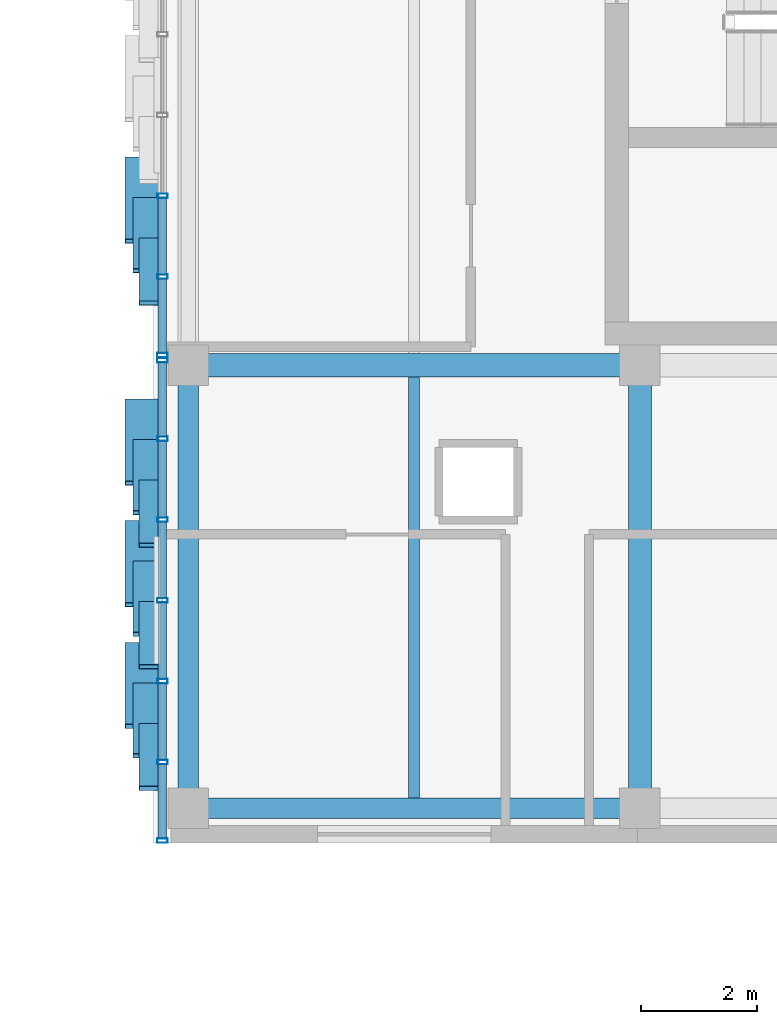
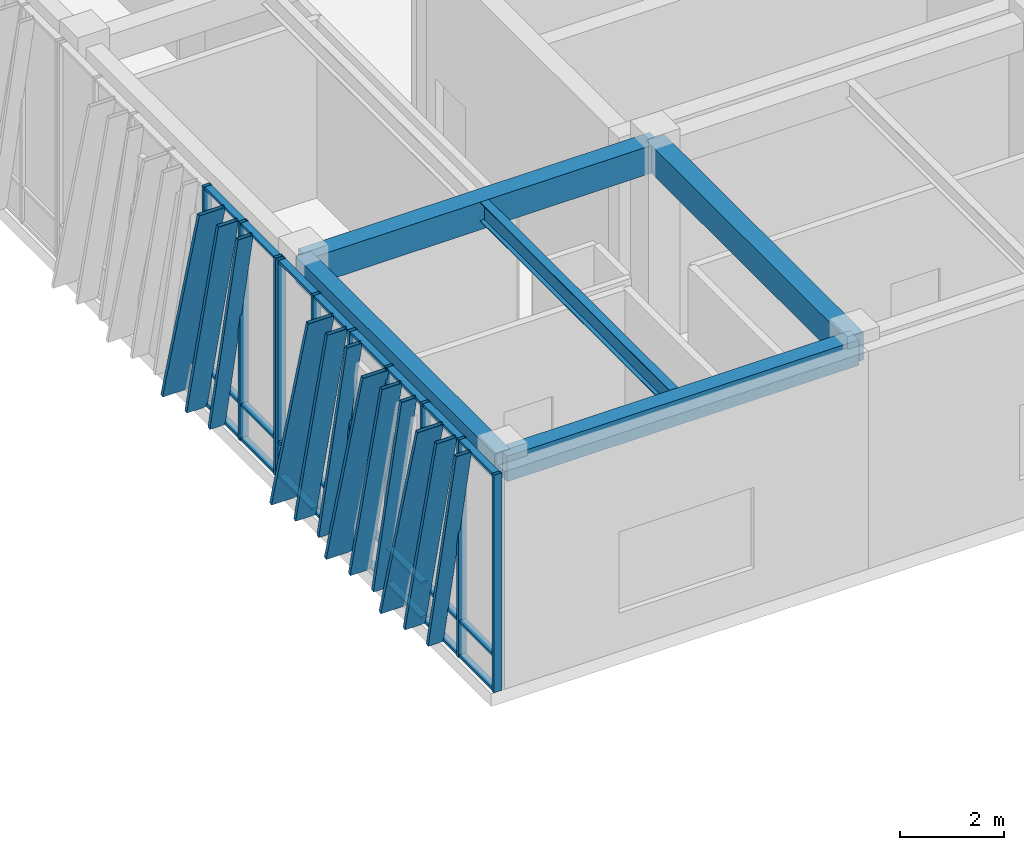
# One storey, part 31 of 139: 46 members, 5 beams, 2 elements without a shape of their own.
"""IFC4 building model written with IfcOpenShell, lengths in metres."""

from ifc_helpers import new_model, si_unit, direction, frame, origin, origin_2d, place, context, subcontext, project, spatial, rectangle, hollow_rectangle, i_section, extrude, material, layer, layer_set, material_profile, profile_set, type_object, element, aggregate, save


model = new_model("IFC4")

# Units and contexts
model_context = context("Model", 3, precision=1e-05, world=origin(), true_north=direction((0.0, 1.0)))
body_context = subcontext(model_context, "Body", "Model", "MODEL_VIEW")
ifc_project = project(units=[si_unit("LENGTHUNIT", "METRE"), si_unit("AREAUNIT", "SQUARE_METRE"), si_unit("VOLUMEUNIT", "CUBIC_METRE"), si_unit("PLANEANGLEUNIT", "RADIAN"), si_unit("MASSUNIT", "GRAM", prefix="KILO")], contexts=[model_context])

# Site, building, storey
site_placement = place(None, origin())
site = spatial("IfcSite", under=ifc_project, at=site_placement, CompositionType="ELEMENT")
building_placement = place(site_placement, origin())
building = spatial("IfcBuilding", under=site, at=building_placement, Name="Zayran Congress Hotel", CompositionType="ELEMENT")
storey_placement = place(building_placement, frame((0.0, 0.0, 5.39990234375)))
storey = spatial("IfcBuildingStorey", under=building, at=storey_placement, Name="L01", CompositionType="ELEMENT", Elevation=5.39990234375)

# Beams
ifc_material_1 = material(Name="Concrete C40/50", Category="concrete")
ifc_material_profile_1 = material_profile(ifc_material_1, rectangle(XDim=0.39990234375, YDim=0.64990234375, at=origin_2d()), Name="RC 400x650")
ifc_profile_set_1 = profile_set([ifc_material_profile_1], Name="Concrete C40/50")
beam_type_1 = type_object("IfcBeamType", Name="TP-BM-03", PredefinedType="BEAM", material=ifc_profile_set_1)
beam_1_placement = place(storey_placement, frame((109.800048828125, 50.800048828125, 4.775146484375), z_axis=(1.0, 0.0, 0.0), x_axis=(0.0, 1.0, 0.0)))
element("IfcBeam", 1, at=beam_1_placement, inside=storey, type_object=beam_type_1, Name="BM-V4-L01-1312", PredefinedType="BEAM", context=body_context, shape_type="SweptSolid", body=[
    extrude(rectangle(XDim=0.39990234375, YDim=0.64990234375, at=origin_2d()), origin(), (0.0, 0.0, 1.0), 7.800048828125),
])
beam_2_placement = place(storey_placement, frame((117.60009765625, 43.14990234375, 4.775146484375), z_axis=(0.0, 1.0, 0.0), x_axis=(-1.0, 0.0, 0.0)))
element("IfcBeam", 2, at=beam_2_placement, inside=storey, type_object=beam_type_1, Name="BM-V4-L01-1352", PredefinedType="BEAM", context=body_context, shape_type="SweptSolid", body=[
    extrude(rectangle(XDim=0.39990234375, YDim=0.64990234375, at=origin_2d()), origin(), (0.0, 0.0, 1.0), 7.650146484375),
])
ifc_material_profile_2 = material_profile(ifc_material_1, rectangle(XDim=0.35009765625, YDim=0.60009765625, at=origin_2d()), Name="RC 350x600")
ifc_profile_set_2 = profile_set([ifc_material_profile_2], Name="Concrete C40/50")
beam_type_2 = type_object("IfcBeamType", Name="TP-SP-01", PredefinedType="SPANDREL", material=ifc_profile_set_2)
beam_3_placement = place(storey_placement, frame((109.800048828125, 43.14990234375, 4.800048828125), z_axis=(1.0, 0.0, 0.0), x_axis=(0.0, 1.0, 0.0)))
element("IfcBeam", 3, at=beam_3_placement, inside=storey, type_object=beam_type_2, Name="BM-V4-L01-1308", PredefinedType="SPANDREL", context=body_context, shape_type="SweptSolid", body=[
    extrude(rectangle(XDim=0.35009765625, YDim=0.60009765625, at=origin_2d()), origin(), (0.0, 0.0, 1.0), 7.800048828125),
])
beam_4_placement = place(storey_placement, frame((109.800048828125, 43.14990234375, 4.800048828125), z_axis=(0.0, 1.0, 0.0), x_axis=(-1.0, 0.0, 0.0)))
element("IfcBeam", 4, at=beam_4_placement, inside=storey, type_object=beam_type_2, Name="BM-V4-L01-1344", PredefinedType="SPANDREL", context=body_context, shape_type="SweptSolid", body=[
    extrude(rectangle(XDim=0.35009765625, YDim=0.60009765625, at=origin_2d()), origin(), (0.0, 0.0, 1.0), 7.650146484375),
])
ifc_material_2 = material(Name="Steel S355", Category="steel")
ifc_material_profile_3 = material_profile(ifc_material_2, i_section(OverallWidth=0.18994140625, OverallDepth=0.449951171875, WebThickness=0.009521484375, FlangeThickness=0.0146484375, at=origin_2d()), Name="IPE 450")
ifc_profile_set_3 = profile_set([ifc_material_profile_3], Name="Steel S355")
beam_type_3 = type_object("IfcBeamType", Name="TP-JS-02", PredefinedType="JOIST", material=ifc_profile_set_3)
beam_5_placement = place(storey_placement, frame((113.699951171875, 43.324951171875, 4.875), z_axis=(0.0, 1.0, 0.0), x_axis=(-1.0, 0.0, 0.0)))
element("IfcBeam", 5, at=beam_5_placement, inside=storey, type_object=beam_type_3, Name="JST-V4-L01-1382", PredefinedType="JOIST", context=body_context, shape_type="SweptSolid", body=[
    extrude(i_section(OverallWidth=0.18994140625, OverallDepth=0.449951171875, WebThickness=0.009521484375, FlangeThickness=0.0146484375, at=origin_2d()), origin(), (0.0, 0.0, 1.0), 7.275146484375),
])

# Curtain wall, members
ifc_material_3 = material(Name="Anodised aluminium and low-E insulated glass", Category="aluminium")
ifc_layer_1 = layer(ifc_material_3, 0.179931640625)
ifc_layer_set_1 = layer_set([ifc_layer_1], Name="Anodised aluminium and low-E insulated glass")
curtain_wall_type_1 = type_object("IfcCurtainWallType", Name="CW-V4W-L01-CW-51-8376-5100", PredefinedType="USERDEFINED", material=ifc_layer_set_1)
curtain_wall_1_placement = place(storey_placement, origin())
curtain_wall_1 = element("IfcCurtainWall", 6, at=curtain_wall_1_placement, inside=storey, type_object=curtain_wall_type_1, Name="CW-V4W-L01-0", ObjectType="CURTAIN WALL", PredefinedType="USERDEFINED")
ifc_material_4 = material(Name="Anodised aluminium framing", Category="aluminium")
ifc_material_profile_4 = material_profile(ifc_material_4, hollow_rectangle(XDim=0.080078125, YDim=0.179931640625, WallThickness=0.0048828125, at=origin_2d()), Name="RHS 180x80x5")
ifc_profile_set_4 = profile_set([ifc_material_profile_4], Name="Anodised aluminium framing")
member_type_1 = type_object("IfcMemberType", Name="TP-CWM-01", PredefinedType="MULLION", material=ifc_profile_set_4)
member_1_placement = place(storey_placement, frame((109.35009765625, 50.885986328125, 0.0), z_axis=(0.0, 0.0, 1.0), x_axis=(0.0, 1.0, 0.0)))
member_1 = element("IfcMember", 7, at=member_1_placement, type_object=member_type_1, Name="CW-V4W-L01-0-M00", PredefinedType="MULLION", context=body_context, shape_type="SweptSolid", body=[
    extrude(hollow_rectangle(XDim=0.080078125, YDim=0.179931640625, WallThickness=0.0048828125, at=origin_2d()), origin(), (0.0, 0.0, 1.0), 5.10009765625),
])
member_2_placement = place(storey_placement, frame((109.35009765625, 49.530029296875, 0.0), z_axis=(0.0, 0.0, 1.0), x_axis=(0.0, 1.0, 0.0)))
member_2 = element("IfcMember", 8, at=member_2_placement, type_object=member_type_1, Name="CW-V4W-L01-0-M01", PredefinedType="MULLION", context=body_context, shape_type="SweptSolid", body=[
    extrude(hollow_rectangle(XDim=0.080078125, YDim=0.179931640625, WallThickness=0.0048828125, at=origin_2d()), origin(), (0.0, 0.0, 1.0), 5.10009765625),
])
member_3_placement = place(storey_placement, frame((109.35009765625, 48.134033203125, 0.0), z_axis=(0.0, 0.0, 1.0), x_axis=(0.0, 1.0, 0.0)))
member_3 = element("IfcMember", 9, at=member_3_placement, type_object=member_type_1, Name="CW-V4W-L01-0-M02", PredefinedType="MULLION", context=body_context, shape_type="SweptSolid", body=[
    extrude(hollow_rectangle(XDim=0.080078125, YDim=0.179931640625, WallThickness=0.0048828125, at=origin_2d()), origin(), (0.0, 0.0, 1.0), 5.10009765625),
])
member_4_placement = place(storey_placement, frame((109.35009765625, 46.738037109375, 0.0), z_axis=(0.0, 0.0, 1.0), x_axis=(0.0, 1.0, 0.0)))
member_4 = element("IfcMember", 10, at=member_4_placement, type_object=member_type_1, Name="CW-V4W-L01-0-M03", PredefinedType="MULLION", context=body_context, shape_type="SweptSolid", body=[
    extrude(hollow_rectangle(XDim=0.080078125, YDim=0.179931640625, WallThickness=0.0048828125, at=origin_2d()), origin(), (0.0, 0.0, 1.0), 5.10009765625),
])
member_5_placement = place(storey_placement, frame((109.35009765625, 45.342041015625, 0.0), z_axis=(0.0, 0.0, 1.0), x_axis=(0.0, 1.0, 0.0)))
member_5 = element("IfcMember", 11, at=member_5_placement, type_object=member_type_1, Name="CW-V4W-L01-0-M04", PredefinedType="MULLION", context=body_context, shape_type="SweptSolid", body=[
    extrude(hollow_rectangle(XDim=0.080078125, YDim=0.179931640625, WallThickness=0.0048828125, at=origin_2d()), origin(), (0.0, 0.0, 1.0), 5.10009765625),
])
member_6_placement = place(storey_placement, frame((109.35009765625, 43.946044921875, 0.0), z_axis=(0.0, 0.0, 1.0), x_axis=(0.0, 1.0, 0.0)))
member_6 = element("IfcMember", 12, at=member_6_placement, type_object=member_type_1, Name="CW-V4W-L01-0-M05", PredefinedType="MULLION", context=body_context, shape_type="SweptSolid", body=[
    extrude(hollow_rectangle(XDim=0.080078125, YDim=0.179931640625, WallThickness=0.0048828125, at=origin_2d()), origin(), (0.0, 0.0, 1.0), 5.10009765625),
])
member_7_placement = place(storey_placement, frame((109.35009765625, 42.590087890625, 0.0), z_axis=(0.0, 0.0, 1.0), x_axis=(0.0, 1.0, 0.0)))
member_7 = element("IfcMember", 13, at=member_7_placement, type_object=member_type_1, Name="CW-V4W-L01-0-M06", PredefinedType="MULLION", context=body_context, shape_type="SweptSolid", body=[
    extrude(hollow_rectangle(XDim=0.080078125, YDim=0.179931640625, WallThickness=0.0048828125, at=origin_2d()), origin(), (0.0, 0.0, 1.0), 5.10009765625),
])

ifc_layer_2 = layer(ifc_material_3, 0.179931640625)
ifc_layer_set_2 = layer_set([ifc_layer_2], Name="Anodised aluminium and low-E insulated glass")
curtain_wall_type_2 = type_object("IfcCurtainWallType", Name="CW-V4W-L01-CW-52-8371-5100", PredefinedType="USERDEFINED", material=ifc_layer_set_2)
curtain_wall_2_placement = place(storey_placement, origin())
curtain_wall_2 = element("IfcCurtainWall", 14, at=curtain_wall_2_placement, inside=storey, type_object=curtain_wall_type_2, Name="CW-V4W-L01-1", ObjectType="CURTAIN WALL", PredefinedType="USERDEFINED")
member_8_placement = place(storey_placement, frame((109.35009765625, 53.726318359375, 0.0), z_axis=(0.0, 0.0, 1.0), x_axis=(0.0, 1.0, 0.0)))
member_8 = element("IfcMember", 15, at=member_8_placement, type_object=member_type_1, Name="CW-V4W-L01-1-M04", PredefinedType="MULLION", context=body_context, shape_type="SweptSolid", body=[
    extrude(hollow_rectangle(XDim=0.080078125, YDim=0.179931640625, WallThickness=0.0048828125, at=origin_2d()), origin(), (0.0, 0.0, 1.0), 5.10009765625),
])
member_9_placement = place(storey_placement, frame((109.35009765625, 52.331298828125, 0.0), z_axis=(0.0, 0.0, 1.0), x_axis=(0.0, 1.0, 0.0)))
member_9 = element("IfcMember", 16, at=member_9_placement, type_object=member_type_1, Name="CW-V4W-L01-1-M05", PredefinedType="MULLION", context=body_context, shape_type="SweptSolid", body=[
    extrude(hollow_rectangle(XDim=0.080078125, YDim=0.179931640625, WallThickness=0.0048828125, at=origin_2d()), origin(), (0.0, 0.0, 1.0), 5.10009765625),
])
member_10_placement = place(storey_placement, frame((109.35009765625, 50.97607421875, 0.0), z_axis=(0.0, 0.0, 1.0), x_axis=(0.0, 1.0, 0.0)))
member_10 = element("IfcMember", 17, at=member_10_placement, type_object=member_type_1, Name="CW-V4W-L01-1-M06", PredefinedType="MULLION", context=body_context, shape_type="SweptSolid", body=[
    extrude(hollow_rectangle(XDim=0.080078125, YDim=0.179931640625, WallThickness=0.0048828125, at=origin_2d()), origin(), (0.0, 0.0, 1.0), 5.10009765625),
])

# Member
ifc_material_profile_5 = material_profile(ifc_material_4, hollow_rectangle(XDim=0.06005859375, YDim=0.14990234375, WallThickness=0.00390625, at=origin_2d()), Name="RHS 150x60x4")
ifc_profile_set_5 = profile_set([ifc_material_profile_5], Name="Anodised aluminium framing")
member_type_2 = type_object("IfcMemberType", Name="TP-CWT-01", PredefinedType="USERDEFINED", material=ifc_profile_set_5)
member_11_placement = place(storey_placement, frame((109.35009765625, 50.845947265625, 0.030029296875), z_axis=(0.0, -1.0, 0.0), x_axis=(0.0, 0.0, 1.0)))
member_11 = element("IfcMember", 18, at=member_11_placement, type_object=member_type_2, Name="CW-V4W-L01-0-T00-0", ObjectType="TRANSOM", PredefinedType="USERDEFINED", context=body_context, shape_type="SweptSolid", body=[
    extrude(hollow_rectangle(XDim=0.06005859375, YDim=0.14990234375, WallThickness=0.00390625, at=origin_2d()), origin(), (0.0, 0.0, 1.0), 1.27587890625),
])

member_12_placement = place(storey_placement, frame((109.35009765625, 50.845947265625, 0.840087890625), z_axis=(0.0, -1.0, 0.0), x_axis=(0.0, 0.0, 1.0)))
member_12 = element("IfcMember", 19, at=member_12_placement, type_object=member_type_2, Name="CW-V4W-L01-0-T00-1", ObjectType="TRANSOM", PredefinedType="USERDEFINED", context=body_context, shape_type="SweptSolid", body=[
    extrude(hollow_rectangle(XDim=0.06005859375, YDim=0.14990234375, WallThickness=0.00390625, at=origin_2d()), origin(), (0.0, 0.0, 1.0), 1.27587890625),
])

member_13_placement = place(storey_placement, frame((109.35009765625, 50.845947265625, 5.070068359375), z_axis=(0.0, -1.0, 0.0), x_axis=(0.0, 0.0, 1.0)))
member_13 = element("IfcMember", 20, at=member_13_placement, type_object=member_type_2, Name="CW-V4W-L01-0-T00-2", ObjectType="TRANSOM", PredefinedType="USERDEFINED", context=body_context, shape_type="SweptSolid", body=[
    extrude(hollow_rectangle(XDim=0.06005859375, YDim=0.14990234375, WallThickness=0.00390625, at=origin_2d()), origin(), (0.0, 0.0, 1.0), 1.27587890625),
])

member_14_placement = place(storey_placement, frame((109.35009765625, 49.489990234375, 0.030029296875), z_axis=(0.0, -1.0, 0.0), x_axis=(0.0, 0.0, 1.0)))
member_14 = element("IfcMember", 21, at=member_14_placement, type_object=member_type_2, Name="CW-V4W-L01-0-T01-0", ObjectType="TRANSOM", PredefinedType="USERDEFINED", context=body_context, shape_type="SweptSolid", body=[
    extrude(hollow_rectangle(XDim=0.06005859375, YDim=0.14990234375, WallThickness=0.00390625, at=origin_2d()), origin(), (0.0, 0.0, 1.0), 1.31591796875),
])

member_15_placement = place(storey_placement, frame((109.35009765625, 49.489990234375, 0.840087890625), z_axis=(0.0, -1.0, 0.0), x_axis=(0.0, 0.0, 1.0)))
member_15 = element("IfcMember", 22, at=member_15_placement, type_object=member_type_2, Name="CW-V4W-L01-0-T01-1", ObjectType="TRANSOM", PredefinedType="USERDEFINED", context=body_context, shape_type="SweptSolid", body=[
    extrude(hollow_rectangle(XDim=0.06005859375, YDim=0.14990234375, WallThickness=0.00390625, at=origin_2d()), origin(), (0.0, 0.0, 1.0), 1.31591796875),
])

member_16_placement = place(storey_placement, frame((109.35009765625, 49.489990234375, 5.070068359375), z_axis=(0.0, -1.0, 0.0), x_axis=(0.0, 0.0, 1.0)))
member_16 = element("IfcMember", 23, at=member_16_placement, type_object=member_type_2, Name="CW-V4W-L01-0-T01-2", ObjectType="TRANSOM", PredefinedType="USERDEFINED", context=body_context, shape_type="SweptSolid", body=[
    extrude(hollow_rectangle(XDim=0.06005859375, YDim=0.14990234375, WallThickness=0.00390625, at=origin_2d()), origin(), (0.0, 0.0, 1.0), 1.31591796875),
])

member_17_placement = place(storey_placement, frame((109.35009765625, 48.093994140625, 0.030029296875), z_axis=(0.0, -1.0, 0.0), x_axis=(0.0, 0.0, 1.0)))
member_17 = element("IfcMember", 24, at=member_17_placement, type_object=member_type_2, Name="CW-V4W-L01-0-T02-0", ObjectType="TRANSOM", PredefinedType="USERDEFINED", context=body_context, shape_type="SweptSolid", body=[
    extrude(hollow_rectangle(XDim=0.06005859375, YDim=0.14990234375, WallThickness=0.00390625, at=origin_2d()), origin(), (0.0, 0.0, 1.0), 1.31591796875),
])

member_18_placement = place(storey_placement, frame((109.35009765625, 48.093994140625, 0.840087890625), z_axis=(0.0, -1.0, 0.0), x_axis=(0.0, 0.0, 1.0)))
member_18 = element("IfcMember", 25, at=member_18_placement, type_object=member_type_2, Name="CW-V4W-L01-0-T02-1", ObjectType="TRANSOM", PredefinedType="USERDEFINED", context=body_context, shape_type="SweptSolid", body=[
    extrude(hollow_rectangle(XDim=0.06005859375, YDim=0.14990234375, WallThickness=0.00390625, at=origin_2d()), origin(), (0.0, 0.0, 1.0), 1.31591796875),
])

member_19_placement = place(storey_placement, frame((109.35009765625, 48.093994140625, 5.070068359375), z_axis=(0.0, -1.0, 0.0), x_axis=(0.0, 0.0, 1.0)))
member_19 = element("IfcMember", 26, at=member_19_placement, type_object=member_type_2, Name="CW-V4W-L01-0-T02-2", ObjectType="TRANSOM", PredefinedType="USERDEFINED", context=body_context, shape_type="SweptSolid", body=[
    extrude(hollow_rectangle(XDim=0.06005859375, YDim=0.14990234375, WallThickness=0.00390625, at=origin_2d()), origin(), (0.0, 0.0, 1.0), 1.31591796875),
])

member_20_placement = place(storey_placement, frame((109.35009765625, 46.697998046875, 0.030029296875), z_axis=(0.0, -1.0, 0.0), x_axis=(0.0, 0.0, 1.0)))
member_20 = element("IfcMember", 27, at=member_20_placement, type_object=member_type_2, Name="CW-V4W-L01-0-T03-0", ObjectType="TRANSOM", PredefinedType="USERDEFINED", context=body_context, shape_type="SweptSolid", body=[
    extrude(hollow_rectangle(XDim=0.06005859375, YDim=0.14990234375, WallThickness=0.00390625, at=origin_2d()), origin(), (0.0, 0.0, 1.0), 1.31591796875),
])

member_21_placement = place(storey_placement, frame((109.35009765625, 46.697998046875, 0.840087890625), z_axis=(0.0, -1.0, 0.0), x_axis=(0.0, 0.0, 1.0)))
member_21 = element("IfcMember", 28, at=member_21_placement, type_object=member_type_2, Name="CW-V4W-L01-0-T03-1", ObjectType="TRANSOM", PredefinedType="USERDEFINED", context=body_context, shape_type="SweptSolid", body=[
    extrude(hollow_rectangle(XDim=0.06005859375, YDim=0.14990234375, WallThickness=0.00390625, at=origin_2d()), origin(), (0.0, 0.0, 1.0), 1.31591796875),
])

member_22_placement = place(storey_placement, frame((109.35009765625, 46.697998046875, 5.070068359375), z_axis=(0.0, -1.0, 0.0), x_axis=(0.0, 0.0, 1.0)))
member_22 = element("IfcMember", 29, at=member_22_placement, type_object=member_type_2, Name="CW-V4W-L01-0-T03-2", ObjectType="TRANSOM", PredefinedType="USERDEFINED", context=body_context, shape_type="SweptSolid", body=[
    extrude(hollow_rectangle(XDim=0.06005859375, YDim=0.14990234375, WallThickness=0.00390625, at=origin_2d()), origin(), (0.0, 0.0, 1.0), 1.31591796875),
])

member_23_placement = place(storey_placement, frame((109.35009765625, 45.302001953125, 0.030029296875), z_axis=(0.0, -1.0, 0.0), x_axis=(0.0, 0.0, 1.0)))
member_23 = element("IfcMember", 30, at=member_23_placement, type_object=member_type_2, Name="CW-V4W-L01-0-T04-0", ObjectType="TRANSOM", PredefinedType="USERDEFINED", context=body_context, shape_type="SweptSolid", body=[
    extrude(hollow_rectangle(XDim=0.06005859375, YDim=0.14990234375, WallThickness=0.00390625, at=origin_2d()), origin(), (0.0, 0.0, 1.0), 1.31591796875),
])

member_24_placement = place(storey_placement, frame((109.35009765625, 45.302001953125, 0.840087890625), z_axis=(0.0, -1.0, 0.0), x_axis=(0.0, 0.0, 1.0)))
member_24 = element("IfcMember", 31, at=member_24_placement, type_object=member_type_2, Name="CW-V4W-L01-0-T04-1", ObjectType="TRANSOM", PredefinedType="USERDEFINED", context=body_context, shape_type="SweptSolid", body=[
    extrude(hollow_rectangle(XDim=0.06005859375, YDim=0.14990234375, WallThickness=0.00390625, at=origin_2d()), origin(), (0.0, 0.0, 1.0), 1.31591796875),
])

member_25_placement = place(storey_placement, frame((109.35009765625, 45.302001953125, 5.070068359375), z_axis=(0.0, -1.0, 0.0), x_axis=(0.0, 0.0, 1.0)))
member_25 = element("IfcMember", 32, at=member_25_placement, type_object=member_type_2, Name="CW-V4W-L01-0-T04-2", ObjectType="TRANSOM", PredefinedType="USERDEFINED", context=body_context, shape_type="SweptSolid", body=[
    extrude(hollow_rectangle(XDim=0.06005859375, YDim=0.14990234375, WallThickness=0.00390625, at=origin_2d()), origin(), (0.0, 0.0, 1.0), 1.31591796875),
])

member_26_placement = place(storey_placement, frame((109.35009765625, 43.906005859375, 0.030029296875), z_axis=(0.0, -1.0, 0.0), x_axis=(0.0, 0.0, 1.0)))
member_26 = element("IfcMember", 33, at=member_26_placement, type_object=member_type_2, Name="CW-V4W-L01-0-T05-0", ObjectType="TRANSOM", PredefinedType="USERDEFINED", context=body_context, shape_type="SweptSolid", body=[
    extrude(hollow_rectangle(XDim=0.06005859375, YDim=0.14990234375, WallThickness=0.00390625, at=origin_2d()), origin(), (0.0, 0.0, 1.0), 1.276123046875),
])

member_27_placement = place(storey_placement, frame((109.35009765625, 43.906005859375, 0.840087890625), z_axis=(0.0, -1.0, 0.0), x_axis=(0.0, 0.0, 1.0)))
member_27 = element("IfcMember", 34, at=member_27_placement, type_object=member_type_2, Name="CW-V4W-L01-0-T05-1", ObjectType="TRANSOM", PredefinedType="USERDEFINED", context=body_context, shape_type="SweptSolid", body=[
    extrude(hollow_rectangle(XDim=0.06005859375, YDim=0.14990234375, WallThickness=0.00390625, at=origin_2d()), origin(), (0.0, 0.0, 1.0), 1.276123046875),
])

member_28_placement = place(storey_placement, frame((109.35009765625, 43.906005859375, 5.070068359375), z_axis=(0.0, -1.0, 0.0), x_axis=(0.0, 0.0, 1.0)))
member_28 = element("IfcMember", 35, at=member_28_placement, type_object=member_type_2, Name="CW-V4W-L01-0-T05-2", ObjectType="TRANSOM", PredefinedType="USERDEFINED", context=body_context, shape_type="SweptSolid", body=[
    extrude(hollow_rectangle(XDim=0.06005859375, YDim=0.14990234375, WallThickness=0.00390625, at=origin_2d()), origin(), (0.0, 0.0, 1.0), 1.276123046875),
])

member_29_placement = place(storey_placement, frame((109.35009765625, 53.686279296875, 0.030029296875), z_axis=(0.0, -1.0, 0.0), x_axis=(0.0, 0.0, 1.0)))
member_29 = element("IfcMember", 36, at=member_29_placement, type_object=member_type_2, Name="CW-V4W-L01-1-T04-0", ObjectType="TRANSOM", PredefinedType="USERDEFINED", context=body_context, shape_type="SweptSolid", body=[
    extrude(hollow_rectangle(XDim=0.06005859375, YDim=0.14990234375, WallThickness=0.00390625, at=origin_2d()), origin(), (0.0, 0.0, 1.0), 1.315185546875),
])

member_30_placement = place(storey_placement, frame((109.35009765625, 53.686279296875, 0.840087890625), z_axis=(0.0, -1.0, 0.0), x_axis=(0.0, 0.0, 1.0)))
member_30 = element("IfcMember", 37, at=member_30_placement, type_object=member_type_2, Name="CW-V4W-L01-1-T04-1", ObjectType="TRANSOM", PredefinedType="USERDEFINED", context=body_context, shape_type="SweptSolid", body=[
    extrude(hollow_rectangle(XDim=0.06005859375, YDim=0.14990234375, WallThickness=0.00390625, at=origin_2d()), origin(), (0.0, 0.0, 1.0), 1.315185546875),
])

member_31_placement = place(storey_placement, frame((109.35009765625, 53.686279296875, 5.070068359375), z_axis=(0.0, -1.0, 0.0), x_axis=(0.0, 0.0, 1.0)))
member_31 = element("IfcMember", 38, at=member_31_placement, type_object=member_type_2, Name="CW-V4W-L01-1-T04-2", ObjectType="TRANSOM", PredefinedType="USERDEFINED", context=body_context, shape_type="SweptSolid", body=[
    extrude(hollow_rectangle(XDim=0.06005859375, YDim=0.14990234375, WallThickness=0.00390625, at=origin_2d()), origin(), (0.0, 0.0, 1.0), 1.315185546875),
])

member_32_placement = place(storey_placement, frame((109.35009765625, 52.291259765625, 0.030029296875), z_axis=(0.0, -1.0, 0.0), x_axis=(0.0, 0.0, 1.0)))
member_32 = element("IfcMember", 39, at=member_32_placement, type_object=member_type_2, Name="CW-V4W-L01-1-T05-0", ObjectType="TRANSOM", PredefinedType="USERDEFINED", context=body_context, shape_type="SweptSolid", body=[
    extrude(hollow_rectangle(XDim=0.06005859375, YDim=0.14990234375, WallThickness=0.00390625, at=origin_2d()), origin(), (0.0, 0.0, 1.0), 1.275146484375),
])

member_33_placement = place(storey_placement, frame((109.35009765625, 52.291259765625, 0.840087890625), z_axis=(0.0, -1.0, 0.0), x_axis=(0.0, 0.0, 1.0)))
member_33 = element("IfcMember", 40, at=member_33_placement, type_object=member_type_2, Name="CW-V4W-L01-1-T05-1", ObjectType="TRANSOM", PredefinedType="USERDEFINED", context=body_context, shape_type="SweptSolid", body=[
    extrude(hollow_rectangle(XDim=0.06005859375, YDim=0.14990234375, WallThickness=0.00390625, at=origin_2d()), origin(), (0.0, 0.0, 1.0), 1.275146484375),
])

member_34_placement = place(storey_placement, frame((109.35009765625, 52.291259765625, 5.070068359375), z_axis=(0.0, -1.0, 0.0), x_axis=(0.0, 0.0, 1.0)))
member_34 = element("IfcMember", 41, at=member_34_placement, type_object=member_type_2, Name="CW-V4W-L01-1-T05-2", ObjectType="TRANSOM", PredefinedType="USERDEFINED", context=body_context, shape_type="SweptSolid", body=[
    extrude(hollow_rectangle(XDim=0.06005859375, YDim=0.14990234375, WallThickness=0.00390625, at=origin_2d()), origin(), (0.0, 0.0, 1.0), 1.275146484375),
])

ifc_material_5 = material(Name="Warm bronze anodised aluminium", Category="aluminium")
ifc_material_profile_6 = material_profile(ifc_material_5, hollow_rectangle(XDim=0.080078125, YDim=0.580078125, WallThickness=0.006103515625, at=origin_2d()), Name="RHS 580x80x6")
ifc_profile_set_6 = profile_set([ifc_material_profile_6], Name="Warm bronze anodised aluminium")
member_type_3 = type_object("IfcMemberType", Name="TP-RFN-01", PredefinedType="MULLION", material=ifc_profile_set_6)
member_35_placement = place(storey_placement, frame((109.0, 50.176025390625, 0.0), z_axis=(0.0, -0.267225109087, 0.963634132372), x_axis=(0.0, 0.963634132372, 0.267225109087)))
member_35 = element("IfcMember", 42, at=member_35_placement, type_object=member_type_3, Name="Slanting Reed Mullion CW-51-01", PredefinedType="MULLION", context=body_context, shape_type="SweptSolid", body=[
    extrude(hollow_rectangle(XDim=0.080078125, YDim=0.580078125, WallThickness=0.006103515625, at=origin_2d()), origin(), (0.0, 0.0, 1.0), 5.29248046875),
])

member_36_placement = place(storey_placement, frame((109.0, 48.075927734375, 0.0), z_axis=(0.0, -0.267225109087, 0.963634132372), x_axis=(0.0, 0.963634132372, 0.267225109087)))
member_36 = element("IfcMember", 43, at=member_36_placement, type_object=member_type_3, Name="Slanting Reed Mullion CW-51-04", PredefinedType="MULLION", context=body_context, shape_type="SweptSolid", body=[
    extrude(hollow_rectangle(XDim=0.080078125, YDim=0.580078125, WallThickness=0.006103515625, at=origin_2d()), origin(), (0.0, 0.0, 1.0), 5.29248046875),
])

member_37_placement = place(storey_placement, frame((109.0, 45.97607421875, 0.0), z_axis=(0.0, -0.267267943227, 0.963622253024), x_axis=(0.0, 0.963622253024, 0.267267943227)))
member_37 = element("IfcMember", 44, at=member_37_placement, type_object=member_type_3, Name="Slanting Reed Mullion CW-51-07", PredefinedType="MULLION", context=body_context, shape_type="SweptSolid", body=[
    extrude(hollow_rectangle(XDim=0.080078125, YDim=0.580078125, WallThickness=0.006103515625, at=origin_2d()), origin(), (0.0, 0.0, 1.0), 5.292724609375),
])

member_38_placement = place(storey_placement, frame((109.0, 54.35693359375, 0.0), z_axis=(0.0, -0.267225109087, 0.963634132372), x_axis=(0.0, 0.963634132372, 0.267225109087)))
member_38 = element("IfcMember", 45, at=member_38_placement, type_object=member_type_3, Name="Slanting Reed Mullion CW-52-07", PredefinedType="MULLION", context=body_context, shape_type="SweptSolid", body=[
    extrude(hollow_rectangle(XDim=0.080078125, YDim=0.580078125, WallThickness=0.006103515625, at=origin_2d()), origin(), (0.0, 0.0, 1.0), 5.29248046875),
])

ifc_material_profile_7 = material_profile(ifc_material_5, hollow_rectangle(XDim=0.080078125, YDim=0.449951171875, WallThickness=0.006103515625, at=origin_2d()), Name="RHS 450x80x6")
ifc_profile_set_7 = profile_set([ifc_material_profile_7], Name="Warm bronze anodised aluminium")
member_type_4 = type_object("IfcMemberType", Name="TP-RFN-02", PredefinedType="MULLION", material=ifc_profile_set_7)
member_39_placement = place(storey_placement, frame((109.06494140625, 49.47607421875, 0.0), z_axis=(0.0, -0.233434569046, 0.972372511939), x_axis=(0.0, 0.972372511939, 0.233434569046)))
member_39 = element("IfcMember", 46, at=member_39_placement, type_object=member_type_4, Name="Slanting Reed Mullion CW-51-02", PredefinedType="MULLION", context=body_context, shape_type="SweptSolid", body=[
    extrude(hollow_rectangle(XDim=0.080078125, YDim=0.449951171875, WallThickness=0.006103515625, at=origin_2d()), origin(), (0.0, 0.0, 1.0), 5.2451171875),
])

member_40_placement = place(storey_placement, frame((109.06494140625, 47.3759765625, 0.0), z_axis=(0.0, -0.233434569046, 0.972372511939), x_axis=(0.0, 0.972372511939, 0.233434569046)))
member_40 = element("IfcMember", 47, at=member_40_placement, type_object=member_type_4, Name="Slanting Reed Mullion CW-51-05", PredefinedType="MULLION", context=body_context, shape_type="SweptSolid", body=[
    extrude(hollow_rectangle(XDim=0.080078125, YDim=0.449951171875, WallThickness=0.006103515625, at=origin_2d()), origin(), (0.0, 0.0, 1.0), 5.2451171875),
])

member_41_placement = place(storey_placement, frame((109.06494140625, 45.27587890625, 0.0), z_axis=(0.0, -0.233434569046, 0.972372511939), x_axis=(0.0, 0.972372511939, 0.233434569046)))
member_41 = element("IfcMember", 48, at=member_41_placement, type_object=member_type_4, Name="Slanting Reed Mullion CW-51-08", PredefinedType="MULLION", context=body_context, shape_type="SweptSolid", body=[
    extrude(hollow_rectangle(XDim=0.080078125, YDim=0.449951171875, WallThickness=0.006103515625, at=origin_2d()), origin(), (0.0, 0.0, 1.0), 5.2451171875),
])

member_42_placement = place(storey_placement, frame((109.06494140625, 53.656982421875, 0.0), z_axis=(0.0, -0.233434569046, 0.972372511939), x_axis=(0.0, 0.972372511939, 0.233434569046)))
member_42 = element("IfcMember", 49, at=member_42_placement, type_object=member_type_4, Name="Slanting Reed Mullion CW-52-08", PredefinedType="MULLION", context=body_context, shape_type="SweptSolid", body=[
    extrude(hollow_rectangle(XDim=0.080078125, YDim=0.449951171875, WallThickness=0.006103515625, at=origin_2d()), origin(), (0.0, 0.0, 1.0), 5.2451171875),
])

ifc_material_profile_8 = material_profile(ifc_material_5, hollow_rectangle(XDim=0.080078125, YDim=0.340087890625, WallThickness=0.006103515625, at=origin_2d()), Name="RHS 340x80x6")
ifc_profile_set_8 = profile_set([ifc_material_profile_8], Name="Warm bronze anodised aluminium")
member_type_5 = type_object("IfcMemberType", Name="TP-RFN-03", PredefinedType="MULLION", material=ifc_profile_set_8)
member_43_placement = place(storey_placement, frame((109.1201171875, 48.77587890625, 0.0), z_axis=(0.0, -0.207897956377, 0.978150519979), x_axis=(0.0, 0.978150519979, 0.207897956377)))
member_43 = element("IfcMember", 50, at=member_43_placement, type_object=member_type_5, Name="Slanting Reed Mullion CW-51-03", PredefinedType="MULLION", context=body_context, shape_type="SweptSolid", body=[
    extrude(hollow_rectangle(XDim=0.080078125, YDim=0.340087890625, WallThickness=0.006103515625, at=origin_2d()), origin(), (0.0, 0.0, 1.0), 5.214111328125),
])

member_44_placement = place(storey_placement, frame((109.1201171875, 46.676025390625, 0.0), z_axis=(0.0, -0.207897956377, 0.978150519979), x_axis=(0.0, 0.978150519979, 0.207897956377)))
member_44 = element("IfcMember", 51, at=member_44_placement, type_object=member_type_5, Name="Slanting Reed Mullion CW-51-06", PredefinedType="MULLION", context=body_context, shape_type="SweptSolid", body=[
    extrude(hollow_rectangle(XDim=0.080078125, YDim=0.340087890625, WallThickness=0.006103515625, at=origin_2d()), origin(), (0.0, 0.0, 1.0), 5.214111328125),
])

member_45_placement = place(storey_placement, frame((109.1201171875, 44.575927734375, 0.0), z_axis=(0.0, -0.207897956377, 0.978150519979), x_axis=(0.0, 0.978150519979, 0.207897956377)))
member_45 = element("IfcMember", 52, at=member_45_placement, type_object=member_type_5, Name="Slanting Reed Mullion CW-51-09", PredefinedType="MULLION", context=body_context, shape_type="SweptSolid", body=[
    extrude(hollow_rectangle(XDim=0.080078125, YDim=0.340087890625, WallThickness=0.006103515625, at=origin_2d()), origin(), (0.0, 0.0, 1.0), 5.214111328125),
])

aggregate(curtain_wall_1, [member_1, member_2, member_3, member_4, member_5, member_6, member_7, member_11, member_12, member_13, member_14, member_15, member_16, member_17, member_18, member_19, member_20, member_21, member_22, member_23, member_24, member_25, member_26, member_27, member_28, member_35, member_39, member_43, member_36, member_40, member_44, member_37, member_41, member_45])

member_46_placement = place(storey_placement, frame((109.1201171875, 52.95703125, 0.0), z_axis=(0.0, -0.207897956377, 0.978150519979), x_axis=(0.0, 0.978150519979, 0.207897956377)))
member_46 = element("IfcMember", 53, at=member_46_placement, type_object=member_type_5, Name="Slanting Reed Mullion CW-52-09", PredefinedType="MULLION", context=body_context, shape_type="SweptSolid", body=[
    extrude(hollow_rectangle(XDim=0.080078125, YDim=0.340087890625, WallThickness=0.006103515625, at=origin_2d()), origin(), (0.0, 0.0, 1.0), 5.214111328125),
])

aggregate(curtain_wall_2, [member_8, member_9, member_10, member_29, member_30, member_31, member_32, member_33, member_34, member_38, member_42, member_46])

save(model, "model.ifc")
